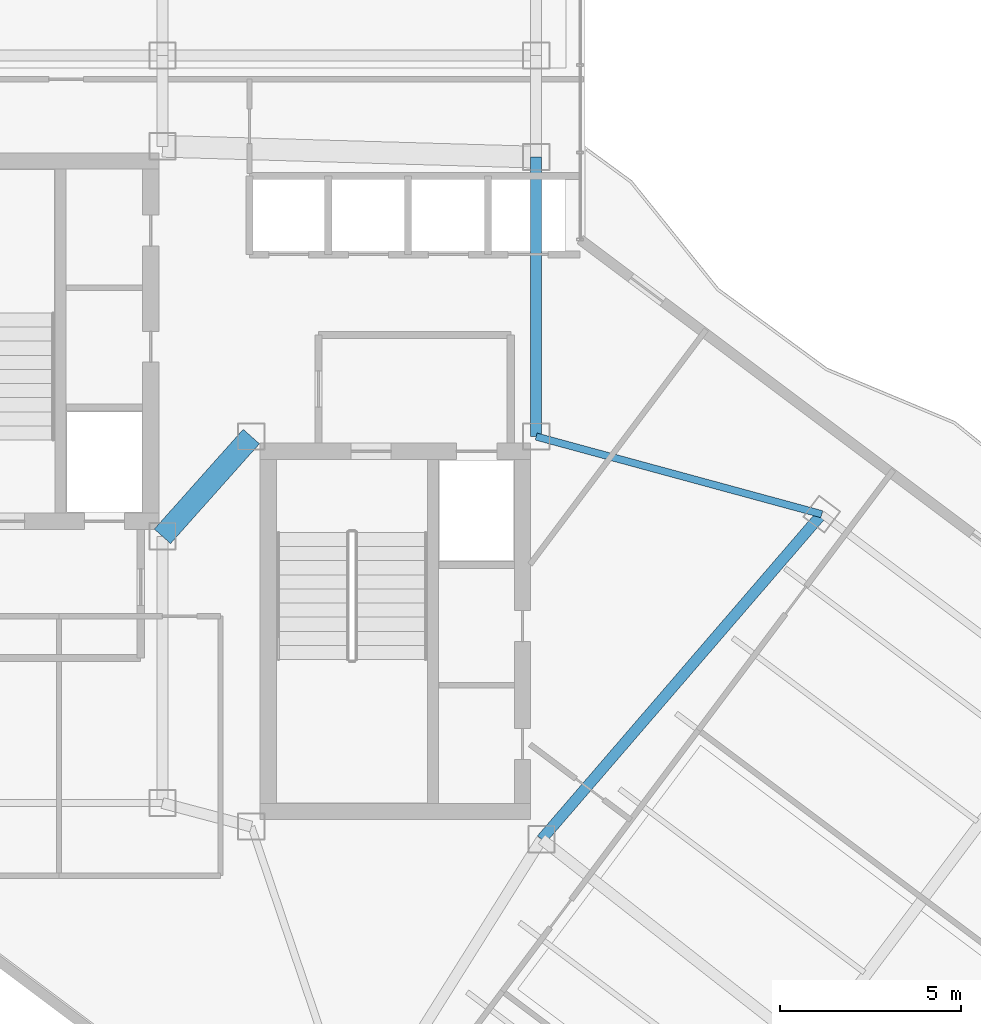
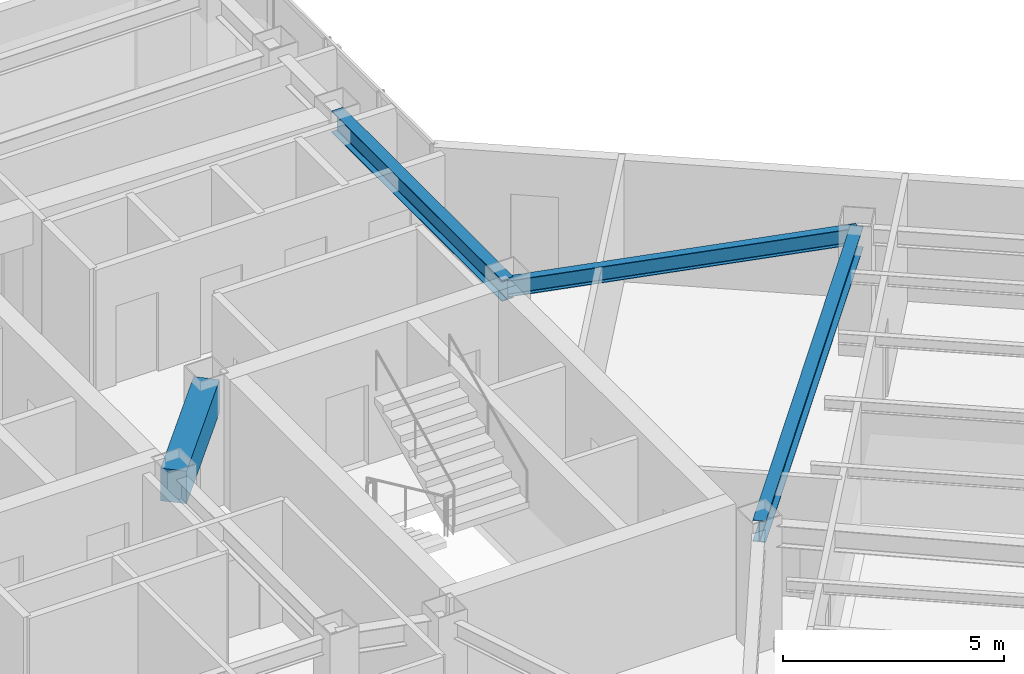
# One storey, part 9 of 24: 4 beams.
"""IFC4 building model written with IfcOpenShell, lengths in metres."""

from ifc_helpers import new_model, si_unit, direction, frame, origin, origin_2d, place, context, subcontext, project, spatial, rectangle, i_section, extrude, material, material_profile, profile_set, type_object, element, save


model = new_model("IFC4")

# Units and contexts
model_context = context("Model", 3, precision=1e-05, world=origin(), true_north=direction((0.0, 1.0)))
body_context = subcontext(model_context, "Body", "Model", "MODEL_VIEW")
ifc_project = project(units=[si_unit("LENGTHUNIT", "METRE"), si_unit("AREAUNIT", "SQUARE_METRE"), si_unit("VOLUMEUNIT", "CUBIC_METRE"), si_unit("PLANEANGLEUNIT", "RADIAN"), si_unit("MASSUNIT", "GRAM", prefix="KILO")], contexts=[model_context])

# Site, building, storey
site_placement = place(None, origin())
site = spatial("IfcSite", under=ifc_project, at=site_placement, CompositionType="ELEMENT")
building_placement = place(site_placement, origin())
building = spatial("IfcBuilding", under=site, at=building_placement, Name="Hatsunagi Terrace Concourse", CompositionType="ELEMENT")
storey_placement = place(building_placement, frame((0.0, 0.0, 213.14990234375)))
storey = spatial("IfcBuildingStorey", under=building, at=storey_placement, Name="L56", CompositionType="ELEMENT", Elevation=213.14990234375)

# Beams
ifc_material_1 = material(Name="Concrete Fc42", Category="concrete")
ifc_material_profile_1 = material_profile(ifc_material_1, rectangle(XDim=0.60009765625, YDim=0.89990234375, at=origin_2d()), Name="RC-600x900")
ifc_profile_set_1 = profile_set([ifc_material_profile_1], Name="Concrete Fc42")
beam_type_1 = type_object("IfcBeamType", Name="CoreCouplingBeam_RC_600x900", PredefinedType="BEAM", material=ifc_profile_set_1)
beam_1_placement = place(storey_placement, frame((33.35009765625, 32.550048828125, 2.900146484375), z_axis=(0.665198651008, 0.746666427997, 0.0), x_axis=(-0.746666427997, 0.665198651008, 0.0)))
element("IfcBeam", 1, at=beam_1_placement, inside=storey, type_object=beam_type_1, Name="Beam CB-03 CB-L56-1", PredefinedType="BEAM", context=body_context, shape_type="SweptSolid", body=[
    extrude(rectangle(XDim=0.60009765625, YDim=0.89990234375, at=origin_2d()), origin(), (0.0, 0.0, 1.0), 3.68310546875),
])
ifc_material_2 = material(Name="Steel SN490B", Category="steel")
ifc_material_profile_2 = material_profile(ifc_material_2, i_section(OverallWidth=0.300048828125, OverallDepth=0.587890625, WebThickness=0.011962890625, FlangeThickness=0.02001953125, FilletRadius=0.01806640625, at=origin_2d()), Name="H-588x300x12x20")
ifc_profile_set_2 = profile_set([ifc_material_profile_2], Name="Steel SN490B")
beam_type_2 = type_object("IfcBeamType", Name="OfficeHighGirder_H_588x300", PredefinedType="BEAM", material=ifc_profile_set_2)
beam_2_placement = place(storey_placement, frame((43.64990234375, 35.300048828125, 3.05615234375), z_axis=(0.0, 1.0, 0.0), x_axis=(-1.0, 0.0, 0.0)))
element("IfcBeam", 2, at=beam_2_placement, inside=storey, type_object=beam_type_2, Name="Beam G-06 BM-L56-CBK3", PredefinedType="BEAM", context=body_context, shape_type="SweptSolid", body=[
    extrude(i_section(OverallWidth=0.300048828125, OverallDepth=0.587890625, WebThickness=0.011962890625, FlangeThickness=0.02001953125, FilletRadius=0.01806640625, at=origin_2d()), origin(), (0.0, 0.0, 1.0), 7.699951171875),
])
beam_3_placement = place(storey_placement, frame((43.800048828125, 24.199951171875, 3.05615234375), z_axis=(0.652739101421, 0.757582777969, 0.0), x_axis=(-0.757582777969, 0.652739101421, 0.0)))
element("IfcBeam", 3, at=beam_3_placement, inside=storey, type_object=beam_type_2, Name="Beam G-06 BM-L56-SET-1B", PredefinedType="BEAM", context=body_context, shape_type="SweptSolid", body=[
    extrude(i_section(OverallWidth=0.300048828125, OverallDepth=0.587890625, WebThickness=0.011962890625, FlangeThickness=0.02001953125, FilletRadius=0.01806640625, at=origin_2d()), origin(), (0.0, 0.0, 1.0), 11.8271484375),
])
ifc_material_3 = material(Name="Steel SN490B", Category="steel")
ifc_material_profile_3 = material_profile(ifc_material_3, i_section(OverallWidth=0.199951171875, OverallDepth=0.449951171875, WebThickness=0.009033203125, FlangeThickness=0.013916015625, FilletRadius=0.01611328125, at=origin_2d()), Name="H-450x200x9x14")
ifc_profile_set_3 = profile_set([ifc_material_profile_3], Name="Steel SN490B")
beam_type_3 = type_object("IfcBeamType", Name="PerimeterSpandrel_H_450x200", PredefinedType="SPANDREL", material=ifc_profile_set_3)
beam_4_placement = place(storey_placement, frame((43.64990234375, 35.300048828125, 3.125), z_axis=(0.964958359286, -0.262403057994, 0.0), x_axis=(0.262403057994, 0.964958359286, 0.0)))
element("IfcBeam", 4, at=beam_4_placement, inside=storey, type_object=beam_type_3, Name="Beam SP-02 BM-L56-SE-NE0", PredefinedType="SPANDREL", context=body_context, shape_type="SweptSolid", body=[
    extrude(i_section(OverallWidth=0.199951171875, OverallDepth=0.449951171875, WebThickness=0.009033203125, FlangeThickness=0.013916015625, FilletRadius=0.01611328125, at=origin_2d()), origin(), (0.0, 0.0, 1.0), 8.156005859375),
])

save(model, "model.ifc")
